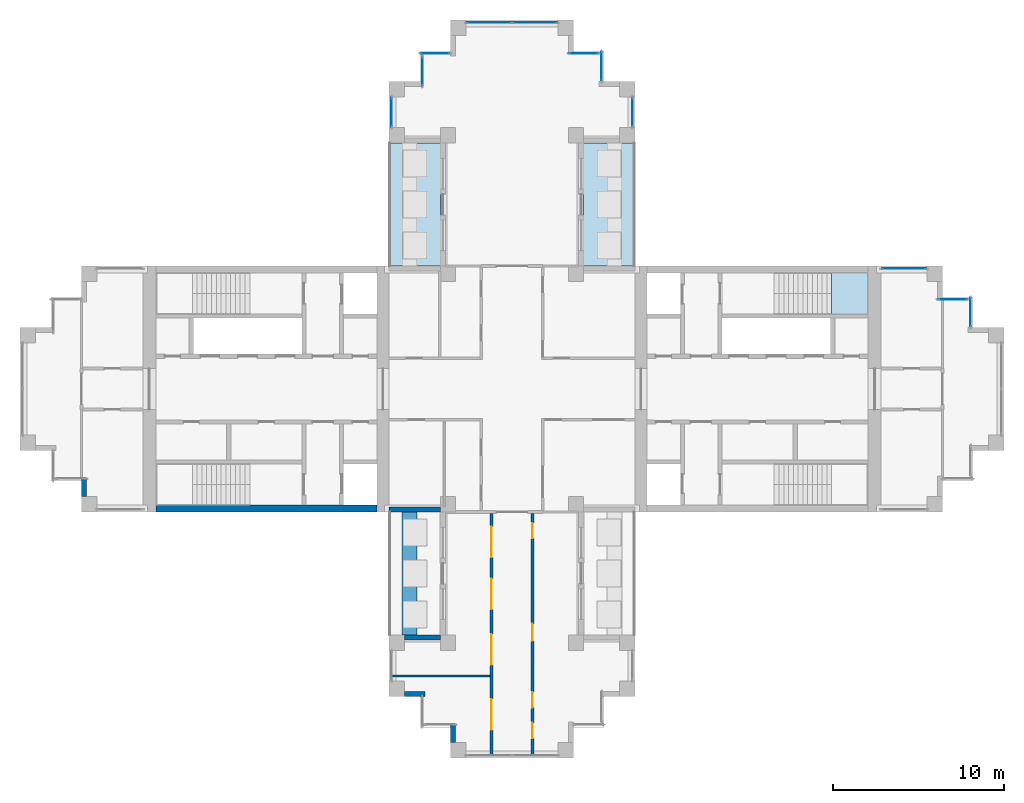
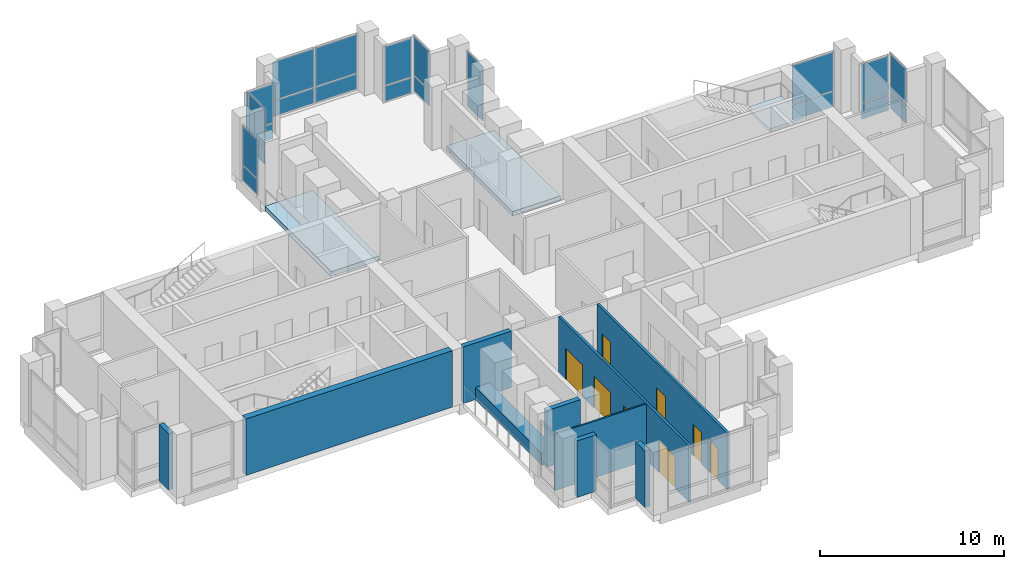
# One storey, part 7 of 13: 22 plates, 10 walls, 8 doors, 3 slabs, 8 openings, 11 elements without a shape of their own.
"""IFC4 building model written with IfcOpenShell, lengths in metres."""

from ifc_helpers import new_model, si_unit, direction, frame, frame_2d, origin, origin_2d, place, context, subcontext, project, spatial, polyline, rectangle, outline, extrude, material, layer, layer_set, type_object, element, fill, aggregate, save


model = new_model("IFC4")

# Units and contexts
model_context = context("Model", 3, precision=1e-05, world=origin(), true_north=direction((0.0, 1.0)))
body_context = subcontext(model_context, "Body", "Model", "MODEL_VIEW")
ifc_project = project(units=[si_unit("LENGTHUNIT", "METRE"), si_unit("AREAUNIT", "SQUARE_METRE"), si_unit("VOLUMEUNIT", "CUBIC_METRE"), si_unit("PLANEANGLEUNIT", "RADIAN"), si_unit("MASSUNIT", "GRAM", prefix="KILO")], contexts=[model_context])

# Site, building, storey
site_placement = place(None, origin())
site = spatial("IfcSite", under=ifc_project, at=site_placement, CompositionType="ELEMENT")
building_placement = place(site_placement, origin())
building = spatial("IfcBuilding", under=site, at=building_placement, Name="Fustian Cross Tower", CompositionType="ELEMENT")
storey_placement = place(building_placement, frame((0.0, 0.0, 237.89990234375)))
storey = spatial("IfcBuildingStorey", under=building, at=storey_placement, Name="L75", CompositionType="ELEMENT", Elevation=237.89990234375)

# Slabs
ifc_material_1 = material(Name="Concrete C40/50", Category="concrete")
ifc_layer_1 = layer(ifc_material_1, 0.300048828125)
ifc_layer_set_1 = layer_set([ifc_layer_1], Name="Concrete C40/50")
slab_type_1 = type_object("IfcSlabType", Name="BS1 BALCONY SLAB 300", PredefinedType="FLOOR", material=ifc_layer_set_1)
slab_1_placement = place(storey_placement, frame((0.0, 0.0, -0.2998046875)))
element("IfcSlab", 1, at=slab_1_placement, inside=storey, type_object=slab_type_1, Name="Balcony slab", PredefinedType="FLOOR", context=body_context, shape_type="SweptSolid", body=[
    extrude(outline(polyline([(4.199951171875, 7.199951171875), (7.199951171875, 7.199951171875), (7.199951171875, 14.39990234375), (4.199951171875, 14.39990234375), (4.199951171875, 7.199951171875)])), origin(), (0.0, 0.0, 1.0), 0.2998046875),
])
slab_2_placement = place(storey_placement, frame((0.0, 0.0, -0.2998046875)))
element("IfcSlab", 2, at=slab_2_placement, inside=storey, type_object=slab_type_1, Name="Balcony slab", PredefinedType="FLOOR", context=body_context, shape_type="SweptSolid", body=[
    extrude(outline(polyline([(-7.199951171875, 7.199951171875), (-4.199951171875, 7.199951171875), (-4.199951171875, 14.39990234375), (-7.199951171875, 14.39990234375), (-7.199951171875, 7.199951171875)])), origin(), (0.0, 0.0, 1.0), 0.2998046875),
])

# Curtain wall, plates
ifc_material_2 = material(Name="Dark anodised aluminium and double glazing", Category="aluminium")
curtain_wall_type = type_object("IfcCurtainWallType", Name="CW2 SUMMIT LOUNGE CURTAIN WALL", PredefinedType="NOTDEFINED", material=ifc_material_2)
curtain_wall_1_placement = place(storey_placement, origin())
curtain_wall_1 = element("IfcCurtainWall", 3, at=curtain_wall_1_placement, inside=storey, type_object=curtain_wall_type, Name="Curtain wall", PredefinedType="NOTDEFINED")
ifc_material_3 = material(Name="Laminated double glazed unit")
ifc_layer_2 = layer(ifc_material_3, 0.0439453125)
ifc_layer_set_2 = layer_set([ifc_layer_2], Name="Laminated double glazed unit")
plate_type = type_object("IfcPlateType", Name="CW2 PANEL LAMINATED IGU 44", PredefinedType="CURTAIN_PANEL", material=ifc_layer_set_2)
plate_1_placement = place(storey_placement, frame((26.85009765625, 4.5, 0.06005859375), z_axis=(0.0, 0.0, 1.0), x_axis=(0.0, 1.0, 0.0)))
plate_1 = element("IfcPlate", 4, at=plate_1_placement, type_object=plate_type, Name="CW2 panel 1.1", PredefinedType="CURTAIN_PANEL", context=body_context, shape_type="SweptSolid", body=[
    extrude(rectangle(XDim=1.679931640625, YDim=0.028076171875, at=origin_2d()), origin(), (0.0, 0.0, 1.0), 1.010009765625),
])
plate_2_placement = place(storey_placement, frame((26.85009765625, 4.5, 1.130126953125), z_axis=(0.0, 0.0, 1.0), x_axis=(0.0, 1.0, 0.0)))
plate_2 = element("IfcPlate", 5, at=plate_2_placement, type_object=plate_type, Name="CW2 panel 1.2", PredefinedType="CURTAIN_PANEL", context=body_context, shape_type="SweptSolid", body=[
    extrude(rectangle(XDim=1.679931640625, YDim=0.028076171875, at=origin_2d()), origin(), (0.0, 0.0, 1.0), 2.56005859375),
])
aggregate(curtain_wall_1, [plate_1, plate_2])

curtain_wall_2_placement = place(storey_placement, origin())
curtain_wall_2 = element("IfcCurtainWall", 6, at=curtain_wall_2_placement, inside=storey, type_object=curtain_wall_type, Name="Curtain wall", PredefinedType="NOTDEFINED")
plate_3_placement = place(storey_placement, frame((25.800048828125, 5.25, 0.06005859375), z_axis=(0.0, 0.0, 1.0), x_axis=(-1.0, 0.0, 0.0)))
plate_3 = element("IfcPlate", 7, at=plate_3_placement, type_object=plate_type, Name="CW2 panel 1.1", PredefinedType="CURTAIN_PANEL", context=body_context, shape_type="SweptSolid", body=[
    extrude(rectangle(XDim=1.679931640625, YDim=0.028076171875, at=origin_2d()), origin(), (0.0, 0.0, 1.0), 1.010009765625),
])
plate_4_placement = place(storey_placement, frame((25.800048828125, 5.25, 1.130126953125), z_axis=(0.0, 0.0, 1.0), x_axis=(-1.0, 0.0, 0.0)))
plate_4 = element("IfcPlate", 8, at=plate_4_placement, type_object=plate_type, Name="CW2 panel 1.2", PredefinedType="CURTAIN_PANEL", context=body_context, shape_type="SweptSolid", body=[
    extrude(rectangle(XDim=1.679931640625, YDim=0.028076171875, at=origin_2d()), origin(), (0.0, 0.0, 1.0), 2.56005859375),
])
aggregate(curtain_wall_2, [plate_3, plate_4])

curtain_wall_3_placement = place(storey_placement, origin())
curtain_wall_3 = element("IfcCurtainWall", 9, at=curtain_wall_3_placement, inside=storey, type_object=curtain_wall_type, Name="Curtain wall", PredefinedType="NOTDEFINED")
plate_5_placement = place(storey_placement, frame((22.949951171875, 7.050048828125, 0.06005859375), z_axis=(0.0, 0.0, 1.0), x_axis=(-1.0, 0.0, 0.0)))
plate_5 = element("IfcPlate", 10, at=plate_5_placement, type_object=plate_type, Name="CW2 panel 1.1", PredefinedType="CURTAIN_PANEL", context=body_context, shape_type="SweptSolid", body=[
    extrude(rectangle(XDim=2.580078125, YDim=0.028076171875, at=origin_2d()), origin(), (0.0, 0.0, 1.0), 1.010009765625),
])
plate_6_placement = place(storey_placement, frame((22.949951171875, 7.050048828125, 1.130126953125), z_axis=(0.0, 0.0, 1.0), x_axis=(-1.0, 0.0, 0.0)))
plate_6 = element("IfcPlate", 11, at=plate_6_placement, type_object=plate_type, Name="CW2 panel 1.2", PredefinedType="CURTAIN_PANEL", context=body_context, shape_type="SweptSolid", body=[
    extrude(rectangle(XDim=2.580078125, YDim=0.028076171875, at=origin_2d()), origin(), (0.0, 0.0, 1.0), 2.56005859375),
])
aggregate(curtain_wall_3, [plate_5, plate_6])

curtain_wall_4_placement = place(storey_placement, origin())
curtain_wall_4 = element("IfcCurtainWall", 12, at=curtain_wall_4_placement, inside=storey, type_object=curtain_wall_type, Name="Curtain wall", PredefinedType="NOTDEFINED")
plate_7_placement = place(storey_placement, frame((7.050048828125, 16.199951171875, 0.06005859375), z_axis=(0.0, 0.0, 1.0), x_axis=(0.0, 1.0, 0.0)))
plate_7 = element("IfcPlate", 13, at=plate_7_placement, type_object=plate_type, Name="CW2 panel 1.1", PredefinedType="CURTAIN_PANEL", context=body_context, shape_type="SweptSolid", body=[
    extrude(rectangle(XDim=1.679931640625, YDim=0.028076171875, at=origin_2d()), origin(), (0.0, 0.0, 1.0), 1.010009765625),
])
plate_8_placement = place(storey_placement, frame((7.050048828125, 16.199951171875, 1.130126953125), z_axis=(0.0, 0.0, 1.0), x_axis=(0.0, 1.0, 0.0)))
plate_8 = element("IfcPlate", 14, at=plate_8_placement, type_object=plate_type, Name="CW2 panel 1.2", PredefinedType="CURTAIN_PANEL", context=body_context, shape_type="SweptSolid", body=[
    extrude(rectangle(XDim=1.679931640625, YDim=0.028076171875, at=origin_2d()), origin(), (0.0, 0.0, 1.0), 2.56005859375),
])
aggregate(curtain_wall_4, [plate_7, plate_8])

curtain_wall_5_placement = place(storey_placement, origin())
curtain_wall_5 = element("IfcCurtainWall", 15, at=curtain_wall_5_placement, inside=storey, type_object=curtain_wall_type, Name="Curtain wall", PredefinedType="NOTDEFINED")
plate_9_placement = place(storey_placement, frame((5.25, 18.89990234375, 0.06005859375), z_axis=(0.0, 0.0, 1.0), x_axis=(0.0, 1.0, 0.0)))
plate_9 = element("IfcPlate", 16, at=plate_9_placement, type_object=plate_type, Name="CW2 panel 1.1", PredefinedType="CURTAIN_PANEL", context=body_context, shape_type="SweptSolid", body=[
    extrude(rectangle(XDim=1.679931640625, YDim=0.028076171875, at=origin_2d()), origin(), (0.0, 0.0, 1.0), 1.010009765625),
])
plate_10_placement = place(storey_placement, frame((5.25, 18.89990234375, 1.130126953125), z_axis=(0.0, 0.0, 1.0), x_axis=(0.0, 1.0, 0.0)))
plate_10 = element("IfcPlate", 17, at=plate_10_placement, type_object=plate_type, Name="CW2 panel 1.2", PredefinedType="CURTAIN_PANEL", context=body_context, shape_type="SweptSolid", body=[
    extrude(rectangle(XDim=1.679931640625, YDim=0.028076171875, at=origin_2d()), origin(), (0.0, 0.0, 1.0), 2.56005859375),
])
aggregate(curtain_wall_5, [plate_9, plate_10])

curtain_wall_6_placement = place(storey_placement, origin())
curtain_wall_6 = element("IfcCurtainWall", 18, at=curtain_wall_6_placement, inside=storey, type_object=curtain_wall_type, Name="Curtain wall", PredefinedType="NOTDEFINED")
plate_11_placement = place(storey_placement, frame((4.199951171875, 19.64990234375, 0.06005859375), z_axis=(0.0, 0.0, 1.0), x_axis=(-1.0, 0.0, 0.0)))
plate_11 = element("IfcPlate", 19, at=plate_11_placement, type_object=plate_type, Name="CW2 panel 1.1", PredefinedType="CURTAIN_PANEL", context=body_context, shape_type="SweptSolid", body=[
    extrude(rectangle(XDim=1.679931640625, YDim=0.028076171875, at=origin_2d()), origin(), (0.0, 0.0, 1.0), 1.010009765625),
])
plate_12_placement = place(storey_placement, frame((4.199951171875, 19.64990234375, 1.130126953125), z_axis=(0.0, 0.0, 1.0), x_axis=(-1.0, 0.0, 0.0)))
plate_12 = element("IfcPlate", 20, at=plate_12_placement, type_object=plate_type, Name="CW2 panel 1.2", PredefinedType="CURTAIN_PANEL", context=body_context, shape_type="SweptSolid", body=[
    extrude(rectangle(XDim=1.679931640625, YDim=0.028076171875, at=origin_2d()), origin(), (0.0, 0.0, 1.0), 2.56005859375),
])
aggregate(curtain_wall_6, [plate_11, plate_12])

curtain_wall_7_placement = place(storey_placement, origin())
curtain_wall_7 = element("IfcCurtainWall", 21, at=curtain_wall_7_placement, inside=storey, type_object=curtain_wall_type, Name="Curtain wall", PredefinedType="NOTDEFINED")
plate_13_placement = place(storey_placement, frame((1.3349609375, 21.449951171875, 0.06005859375), z_axis=(0.0, 0.0, 1.0), x_axis=(-1.0, 0.0, 0.0)))
plate_13 = element("IfcPlate", 22, at=plate_13_placement, type_object=plate_type, Name="CW2 panel 1.1", PredefinedType="CURTAIN_PANEL", context=body_context, shape_type="SweptSolid", body=[
    extrude(rectangle(XDim=2.610107421875, YDim=0.028076171875, at=origin_2d()), origin(), (0.0, 0.0, 1.0), 1.010009765625),
])
plate_14_placement = place(storey_placement, frame((1.3349609375, 21.449951171875, 1.130126953125), z_axis=(0.0, 0.0, 1.0), x_axis=(-1.0, 0.0, 0.0)))
plate_14 = element("IfcPlate", 23, at=plate_14_placement, type_object=plate_type, Name="CW2 panel 1.2", PredefinedType="CURTAIN_PANEL", context=body_context, shape_type="SweptSolid", body=[
    extrude(rectangle(XDim=2.610107421875, YDim=0.028076171875, at=origin_2d()), origin(), (0.0, 0.0, 1.0), 2.56005859375),
])
plate_15_placement = place(storey_placement, frame((-1.3349609375, 21.449951171875, 0.06005859375), z_axis=(0.0, 0.0, 1.0), x_axis=(-1.0, 0.0, 0.0)))
plate_15 = element("IfcPlate", 24, at=plate_15_placement, type_object=plate_type, Name="CW2 panel 2.1", PredefinedType="CURTAIN_PANEL", context=body_context, shape_type="SweptSolid", body=[
    extrude(rectangle(XDim=2.610107421875, YDim=0.028076171875, at=origin_2d()), origin(), (0.0, 0.0, 1.0), 1.010009765625),
])
plate_16_placement = place(storey_placement, frame((-1.3349609375, 21.449951171875, 1.130126953125), z_axis=(0.0, 0.0, 1.0), x_axis=(-1.0, 0.0, 0.0)))
plate_16 = element("IfcPlate", 25, at=plate_16_placement, type_object=plate_type, Name="CW2 panel 2.2", PredefinedType="CURTAIN_PANEL", context=body_context, shape_type="SweptSolid", body=[
    extrude(rectangle(XDim=2.610107421875, YDim=0.028076171875, at=origin_2d()), origin(), (0.0, 0.0, 1.0), 2.56005859375),
])
aggregate(curtain_wall_7, [plate_13, plate_14, plate_15, plate_16])

curtain_wall_8_placement = place(storey_placement, origin())
curtain_wall_8 = element("IfcCurtainWall", 26, at=curtain_wall_8_placement, inside=storey, type_object=curtain_wall_type, Name="Curtain wall", PredefinedType="NOTDEFINED")
plate_17_placement = place(storey_placement, frame((-4.5, 19.64990234375, 0.06005859375), z_axis=(0.0, 0.0, 1.0), x_axis=(-1.0, 0.0, 0.0)))
plate_17 = element("IfcPlate", 27, at=plate_17_placement, type_object=plate_type, Name="CW2 panel 1.1", PredefinedType="CURTAIN_PANEL", context=body_context, shape_type="SweptSolid", body=[
    extrude(rectangle(XDim=1.679931640625, YDim=0.028076171875, at=origin_2d()), origin(), (0.0, 0.0, 1.0), 1.010009765625),
])
plate_18_placement = place(storey_placement, frame((-4.5, 19.64990234375, 1.130126953125), z_axis=(0.0, 0.0, 1.0), x_axis=(-1.0, 0.0, 0.0)))
plate_18 = element("IfcPlate", 28, at=plate_18_placement, type_object=plate_type, Name="CW2 panel 1.2", PredefinedType="CURTAIN_PANEL", context=body_context, shape_type="SweptSolid", body=[
    extrude(rectangle(XDim=1.679931640625, YDim=0.028076171875, at=origin_2d()), origin(), (0.0, 0.0, 1.0), 2.56005859375),
])
aggregate(curtain_wall_8, [plate_17, plate_18])

curtain_wall_9_placement = place(storey_placement, origin())
curtain_wall_9 = element("IfcCurtainWall", 29, at=curtain_wall_9_placement, inside=storey, type_object=curtain_wall_type, Name="Curtain wall", PredefinedType="NOTDEFINED")
plate_19_placement = place(storey_placement, frame((-5.25, 18.60009765625, 0.06005859375), z_axis=(0.0, 0.0, 1.0), x_axis=(0.0, -1.0, 0.0)))
plate_19 = element("IfcPlate", 30, at=plate_19_placement, type_object=plate_type, Name="CW2 panel 1.1", PredefinedType="CURTAIN_PANEL", context=body_context, shape_type="SweptSolid", body=[
    extrude(rectangle(XDim=1.679931640625, YDim=0.028076171875, at=origin_2d()), origin(), (0.0, 0.0, 1.0), 1.010009765625),
])
plate_20_placement = place(storey_placement, frame((-5.25, 18.60009765625, 1.130126953125), z_axis=(0.0, 0.0, 1.0), x_axis=(0.0, -1.0, 0.0)))
plate_20 = element("IfcPlate", 31, at=plate_20_placement, type_object=plate_type, Name="CW2 panel 1.2", PredefinedType="CURTAIN_PANEL", context=body_context, shape_type="SweptSolid", body=[
    extrude(rectangle(XDim=1.679931640625, YDim=0.028076171875, at=origin_2d()), origin(), (0.0, 0.0, 1.0), 2.56005859375),
])
aggregate(curtain_wall_9, [plate_19, plate_20])

curtain_wall_10_placement = place(storey_placement, origin())
curtain_wall_10 = element("IfcCurtainWall", 32, at=curtain_wall_10_placement, inside=storey, type_object=curtain_wall_type, Name="Curtain wall", PredefinedType="NOTDEFINED")
plate_21_placement = place(storey_placement, frame((-7.050048828125, 16.199951171875, 0.06005859375), z_axis=(0.0, 0.0, 1.0), x_axis=(0.0, -1.0, 0.0)))
plate_21 = element("IfcPlate", 33, at=plate_21_placement, type_object=plate_type, Name="CW2 panel 1.1", PredefinedType="CURTAIN_PANEL", context=body_context, shape_type="SweptSolid", body=[
    extrude(rectangle(XDim=1.679931640625, YDim=0.028076171875, at=origin_2d()), origin(), (0.0, 0.0, 1.0), 1.010009765625),
])
plate_22_placement = place(storey_placement, frame((-7.050048828125, 16.199951171875, 1.130126953125), z_axis=(0.0, 0.0, 1.0), x_axis=(0.0, -1.0, 0.0)))
plate_22 = element("IfcPlate", 34, at=plate_22_placement, type_object=plate_type, Name="CW2 panel 1.2", PredefinedType="CURTAIN_PANEL", context=body_context, shape_type="SweptSolid", body=[
    extrude(rectangle(XDim=1.679931640625, YDim=0.028076171875, at=origin_2d()), origin(), (0.0, 0.0, 1.0), 2.56005859375),
])
aggregate(curtain_wall_10, [plate_21, plate_22])

# Stair, slab
ifc_material_4 = material(Name="Concrete C50/60", Category="concrete")
stair_type = type_object("IfcStairType", Name="STAIR 1200 HALF TURN", PredefinedType="HALF_TURN_STAIR", material=ifc_material_4)
stair_placement = place(storey_placement, origin())
stair = element("IfcStair", 35, at=stair_placement, inside=storey, type_object=stair_type, Name="Stair ST1", PredefinedType="HALF_TURN_STAIR")
ifc_material_5 = material(Name="Concrete C50/60", Category="concrete")
ifc_layer_3 = layer(ifc_material_5, 0.199951171875)
ifc_layer_set_3 = layer_set([ifc_layer_3], Name="Concrete C50/60")
slab_type_2 = type_object("IfcSlabType", Name="STAIR LANDING", PredefinedType="LANDING", material=ifc_layer_set_3)
slab_3_placement = place(storey_placement, frame((0.0, 0.0, 1.900146484375)))
slab_3 = element("IfcSlab", 36, at=slab_3_placement, type_object=slab_type_2, Name="ST1 landing 1", PredefinedType="LANDING", context=body_context, shape_type="SweptSolid", body=[
    extrude(outline(polyline([(18.7099609375, 4.39990234375), (20.85009765625, 4.39990234375), (20.85009765625, 6.800048828125), (18.7099609375, 6.800048828125), (18.7099609375, 4.39990234375)])), origin(), (0.0, 0.0, 1.0), 0.199951171875),
])
aggregate(stair, [slab_3])

# Wall, openings, doors
ifc_material_6 = material(Name="Plasterboard on steel stud", Category="steel")
ifc_layer_4 = layer(ifc_material_6, 0.14990234375)
ifc_layer_set_4 = layer_set([ifc_layer_4], Name="Plasterboard on steel stud")
wall_type_1 = type_object("IfcWallType", Name="COMPARTMENT WALL 150 EI 60", PredefinedType="PARTITIONING", material=ifc_layer_set_4)
wall_1_placement = place(storey_placement, frame((-1.199951171875, -21.419921875, 0.0), z_axis=(0.0, 0.0, 1.0), x_axis=(0.0, 1.0, 0.0)))
wall_1 = element("IfcWall", 37, at=wall_1_placement, inside=storey, type_object=wall_type_1, Name="Partition 16", PredefinedType="PARTITIONING", context=body_context, shape_type="SweptSolid", body=[
    extrude(rectangle(XDim=14.14501953125, YDim=0.14990234375, at=frame_2d((7.072509765625, 0.0))), origin(), (0.0, 0.0, 1.0), 3.75),
])
opening_1_placement = place(wall_1_placement, frame((5.27001953125, 0.0, 0.0)))
opening_1 = element("IfcOpeningElement", 38, at=opening_1_placement, cuts=wall_1, Name="Opening D34019", PredefinedType="OPENING", context=body_context, shape_type="SweptSolid", body=[
    extrude(rectangle(XDim=1.800048828125, YDim=2.10009765625, at=frame_2d((0.89990234375, 1.050048828125))), frame((0.0, 0.0849609375, 0.0), z_axis=(0.0, -1.0, 0.0), x_axis=(1.0, 0.0, 0.0)), (0.0, 0.0, 1.0), 0.169921875),
])
opening_2_placement = place(wall_1_placement, frame((8.52001953125, 0.0, 0.0)))
opening_2 = element("IfcOpeningElement", 39, at=opening_2_placement, cuts=wall_1, Name="Opening D34020", PredefinedType="OPENING", context=body_context, shape_type="SweptSolid", body=[
    extrude(rectangle(XDim=1.800048828125, YDim=2.10009765625, at=frame_2d((0.89990234375, 1.050048828125))), frame((0.0, 0.0849609375, 0.0), z_axis=(0.0, -1.0, 0.0), x_axis=(1.0, 0.0, 0.0)), (0.0, 0.0, 1.0), 0.169921875),
])
opening_3_placement = place(wall_1_placement, frame((11.570068359375, 0.0, 0.0)))
opening_3 = element("IfcOpeningElement", 40, at=opening_3_placement, cuts=wall_1, Name="Opening D34021", PredefinedType="OPENING", context=body_context, shape_type="SweptSolid", body=[
    extrude(rectangle(XDim=1.800048828125, YDim=2.10009765625, at=frame_2d((0.89990234375, 1.050048828125))), frame((0.0, 0.0849609375, 0.0), z_axis=(0.0, -1.0, 0.0), x_axis=(1.0, 0.0, 0.0)), (0.0, 0.0, 1.0), 0.169921875),
])
opening_4_placement = place(wall_1_placement, frame((1.469970703125, 0.0, 0.0)))
opening_4 = element("IfcOpeningElement", 41, at=opening_4_placement, cuts=wall_1, Name="Opening D34022", PredefinedType="OPENING", context=body_context, shape_type="SweptSolid", body=[
    extrude(rectangle(XDim=1.800048828125, YDim=2.10009765625, at=frame_2d((0.89990234375, 1.050048828125))), frame((0.0, 0.0849609375, 0.0), z_axis=(0.0, -1.0, 0.0), x_axis=(1.0, 0.0, 0.0)), (0.0, 0.0, 1.0), 0.169921875),
])
ifc_material_7 = material(Name="Timber fire door set", Category="wood")
door_type_1 = type_object("IfcDoorType", Name="FIRE DOUBLE DOOR 1800 FD30S", OperationType="DOUBLE_DOOR_DOUBLE_SWING", PredefinedType="DOOR", material=ifc_material_7)
door_1_placement = place(opening_1_placement, frame((1.800048828125, 0.0, 0.0), z_axis=(0.0, 0.0, 1.0), x_axis=(-1.0, 0.0, 0.0)))
door_1 = element("IfcDoor", 42, at=door_1_placement, inside=storey, type_object=door_type_1, Name="Door D34019", OperationType="DOUBLE_DOOR_DOUBLE_SWING", OverallHeight=2.10009765625, OverallWidth=1.800048828125, PredefinedType="DOOR", context=body_context, shape_type="SweptSolid", body=[
    extrude(rectangle(XDim=1.800048828125, YDim=2.10009765625, at=frame_2d((0.89990234375, 1.050048828125))), frame((0.0, 0.02490234375, 0.0), z_axis=(0.0, -1.0, 0.0), x_axis=(1.0, 0.0, 0.0)), (0.0, 0.0, 1.0), 0.050048828125),
])
fill(opening_1, door_1)
door_2_placement = place(opening_2_placement, frame((1.800048828125, 0.0, 0.0), z_axis=(0.0, 0.0, 1.0), x_axis=(-1.0, 0.0, 0.0)))
door_2 = element("IfcDoor", 43, at=door_2_placement, inside=storey, type_object=door_type_1, Name="Door D34020", OperationType="DOUBLE_DOOR_DOUBLE_SWING", OverallHeight=2.10009765625, OverallWidth=1.800048828125, PredefinedType="DOOR", context=body_context, shape_type="SweptSolid", body=[
    extrude(rectangle(XDim=1.800048828125, YDim=2.10009765625, at=frame_2d((0.89990234375, 1.050048828125))), frame((0.0, 0.02490234375, 0.0), z_axis=(0.0, -1.0, 0.0), x_axis=(1.0, 0.0, 0.0)), (0.0, 0.0, 1.0), 0.050048828125),
])
fill(opening_2, door_2)
door_3_placement = place(opening_3_placement, origin())
door_3 = element("IfcDoor", 44, at=door_3_placement, inside=storey, type_object=door_type_1, Name="Door D34021", OperationType="DOUBLE_DOOR_DOUBLE_SWING", OverallHeight=2.10009765625, OverallWidth=1.800048828125, PredefinedType="DOOR", context=body_context, shape_type="SweptSolid", body=[
    extrude(rectangle(XDim=1.800048828125, YDim=2.10009765625, at=frame_2d((0.89990234375, 1.050048828125))), frame((0.0, 0.02490234375, 0.0), z_axis=(0.0, -1.0, 0.0), x_axis=(1.0, 0.0, 0.0)), (0.0, 0.0, 1.0), 0.050048828125),
])
fill(opening_3, door_3)
door_4_placement = place(opening_4_placement, frame((1.800048828125, 0.0, 0.0), z_axis=(0.0, 0.0, 1.0), x_axis=(-1.0, 0.0, 0.0)))
door_4 = element("IfcDoor", 45, at=door_4_placement, inside=storey, type_object=door_type_1, Name="Door D34022", OperationType="DOUBLE_DOOR_DOUBLE_SWING", OverallHeight=2.10009765625, OverallWidth=1.800048828125, PredefinedType="DOOR", context=body_context, shape_type="SweptSolid", body=[
    extrude(rectangle(XDim=1.800048828125, YDim=2.10009765625, at=frame_2d((0.89990234375, 1.050048828125))), frame((0.0, 0.02490234375, 0.0), z_axis=(0.0, -1.0, 0.0), x_axis=(1.0, 0.0, 0.0)), (0.0, 0.0, 1.0), 0.050048828125),
])
fill(opening_4, door_4)

wall_2_placement = place(storey_placement, frame((1.199951171875, -21.419921875, 0.0), z_axis=(0.0, 0.0, 1.0), x_axis=(0.0, 1.0, 0.0)))
wall_2 = element("IfcWall", 46, at=wall_2_placement, inside=storey, type_object=wall_type_1, Name="Partition 17", PredefinedType="PARTITIONING", context=body_context, shape_type="SweptSolid", body=[
    extrude(rectangle(XDim=14.14501953125, YDim=0.14990234375, at=frame_2d((7.072509765625, 0.0))), origin(), (0.0, 0.0, 1.0), 3.75),
])
opening_5_placement = place(wall_2_placement, frame((0.969970703125, 0.0, 0.0)))
opening_5 = element("IfcOpeningElement", 47, at=opening_5_placement, cuts=wall_2, Name="Opening D34015", PredefinedType="OPENING", context=body_context, shape_type="SweptSolid", body=[
    extrude(rectangle(XDim=0.89990234375, YDim=2.10009765625, at=frame_2d((0.449951171875, 1.050048828125))), frame((0.0, 0.0849609375, 0.0), z_axis=(0.0, -1.0, 0.0), x_axis=(1.0, 0.0, 0.0)), (0.0, 0.0, 1.0), 0.169921875),
])
opening_6_placement = place(wall_2_placement, frame((2.77001953125, 0.0, 0.0)))
opening_6 = element("IfcOpeningElement", 48, at=opening_6_placement, cuts=wall_2, Name="Opening D34016", PredefinedType="OPENING", context=body_context, shape_type="SweptSolid", body=[
    extrude(rectangle(XDim=0.89990234375, YDim=2.10009765625, at=frame_2d((0.449951171875, 1.050048828125))), frame((0.0, 0.0849609375, 0.0), z_axis=(0.0, -1.0, 0.0), x_axis=(1.0, 0.0, 0.0)), (0.0, 0.0, 1.0), 0.169921875),
])
opening_7_placement = place(wall_2_placement, frame((6.669921875, 0.0, 0.0)))
opening_7 = element("IfcOpeningElement", 49, at=opening_7_placement, cuts=wall_2, Name="Opening D34017", PredefinedType="OPENING", context=body_context, shape_type="SweptSolid", body=[
    extrude(rectangle(XDim=1.0, YDim=2.10009765625, at=frame_2d((0.5, 1.050048828125))), frame((0.0, 0.0849609375, 0.0), z_axis=(0.0, -1.0, 0.0), x_axis=(1.0, 0.0, 0.0)), (0.0, 0.0, 1.0), 0.169921875),
])
opening_8_placement = place(wall_2_placement, frame((12.669921875, 0.0, 0.0)))
opening_8 = element("IfcOpeningElement", 50, at=opening_8_placement, cuts=wall_2, Name="Opening D34018", PredefinedType="OPENING", context=body_context, shape_type="SweptSolid", body=[
    extrude(rectangle(XDim=0.89990234375, YDim=2.10009765625, at=frame_2d((0.449951171875, 1.050048828125))), frame((0.0, 0.0849609375, 0.0), z_axis=(0.0, -1.0, 0.0), x_axis=(1.0, 0.0, 0.0)), (0.0, 0.0, 1.0), 0.169921875),
])
ifc_material_8 = material(Name="Timber fire door set", Category="wood")
door_type_2 = type_object("IfcDoorType", Name="FIRE SWING DOOR 1000 FD30S", OperationType="SINGLE_SWING_LEFT", PredefinedType="DOOR", material=ifc_material_8)
door_5_placement = place(opening_7_placement, frame((1.0, 0.0, 0.0), z_axis=(0.0, 0.0, 1.0), x_axis=(-1.0, 0.0, 0.0)))
door_5 = element("IfcDoor", 51, at=door_5_placement, inside=storey, type_object=door_type_2, Name="Door D34017", OperationType="SINGLE_SWING_RIGHT", OverallHeight=2.10009765625, OverallWidth=1.0, PredefinedType="DOOR", context=body_context, shape_type="SweptSolid", body=[
    extrude(rectangle(XDim=1.0, YDim=2.10009765625, at=frame_2d((0.5, 1.050048828125))), frame((0.0, 0.02490234375, 0.0), z_axis=(0.0, -1.0, 0.0), x_axis=(1.0, 0.0, 0.0)), (0.0, 0.0, 1.0), 0.050048828125),
])
fill(opening_7, door_5)
ifc_material_9 = material(Name="Timber fire door set", Category="wood")
door_type_3 = type_object("IfcDoorType", Name="FIRE SWING DOOR 900 FD30S", OperationType="SINGLE_SWING_LEFT", PredefinedType="DOOR", material=ifc_material_9)
door_6_placement = place(opening_5_placement, frame((0.89990234375, 0.0, 0.0), z_axis=(0.0, 0.0, 1.0), x_axis=(-1.0, 0.0, 0.0)))
door_6 = element("IfcDoor", 52, at=door_6_placement, inside=storey, type_object=door_type_3, Name="Door D34015", OperationType="SINGLE_SWING_RIGHT", OverallHeight=2.10009765625, OverallWidth=0.89990234375, PredefinedType="DOOR", context=body_context, shape_type="SweptSolid", body=[
    extrude(rectangle(XDim=0.89990234375, YDim=2.10009765625, at=frame_2d((0.449951171875, 1.050048828125))), frame((0.0, 0.02490234375, 0.0), z_axis=(0.0, -1.0, 0.0), x_axis=(1.0, 0.0, 0.0)), (0.0, 0.0, 1.0), 0.050048828125),
])
fill(opening_5, door_6)
door_7_placement = place(opening_6_placement, frame((0.89990234375, 0.0, 0.0), z_axis=(0.0, 0.0, 1.0), x_axis=(-1.0, 0.0, 0.0)))
door_7 = element("IfcDoor", 53, at=door_7_placement, inside=storey, type_object=door_type_3, Name="Door D34016", OperationType="SINGLE_SWING_RIGHT", OverallHeight=2.10009765625, OverallWidth=0.89990234375, PredefinedType="DOOR", context=body_context, shape_type="SweptSolid", body=[
    extrude(rectangle(XDim=0.89990234375, YDim=2.10009765625, at=frame_2d((0.449951171875, 1.050048828125))), frame((0.0, 0.02490234375, 0.0), z_axis=(0.0, -1.0, 0.0), x_axis=(1.0, 0.0, 0.0)), (0.0, 0.0, 1.0), 0.050048828125),
])
fill(opening_6, door_7)
door_8_placement = place(opening_8_placement, frame((0.89990234375, 0.0, 0.0), z_axis=(0.0, 0.0, 1.0), x_axis=(-1.0, 0.0, 0.0)))
door_8 = element("IfcDoor", 54, at=door_8_placement, inside=storey, type_object=door_type_3, Name="Door D34018", OperationType="SINGLE_SWING_LEFT", OverallHeight=2.10009765625, OverallWidth=0.89990234375, PredefinedType="DOOR", context=body_context, shape_type="SweptSolid", body=[
    extrude(rectangle(XDim=0.89990234375, YDim=2.10009765625, at=frame_2d((0.449951171875, 1.050048828125))), frame((0.0, 0.02490234375, 0.0), z_axis=(0.0, -1.0, 0.0), x_axis=(1.0, 0.0, 0.0)), (0.0, 0.0, 1.0), 0.050048828125),
])
fill(opening_8, door_8)

# Walls
ifc_material_10 = material(Name="Concrete C50/60", Category="concrete")
ifc_layer_5 = layer(ifc_material_10, 0.39990234375)
ifc_layer_set_5 = layer_set([ifc_layer_5], Name="Concrete C50/60")
wall_type_2 = type_object("IfcWallType", Name="CORE FACADE WALL 400 C50/60", PredefinedType="SHEAR", material=ifc_layer_set_5)
wall_3_placement = place(storey_placement, frame((-7.89990234375, -7.0, 0.0), z_axis=(0.0, 0.0, 1.0), x_axis=(-1.0, 0.0, 0.0)))
element("IfcWall", 55, at=wall_3_placement, inside=storey, type_object=wall_type_2, Name="Core facade wall", PredefinedType="SHEAR", context=body_context, shape_type="SweptSolid", body=[
    extrude(rectangle(XDim=12.9501953125, YDim=0.39990234375, at=frame_2d((6.47509765625, 0.0))), origin(), (0.0, 0.0, 1.0), 3.75),
])
ifc_material_11 = material(Name="Plasterboard on steel stud", Category="steel")
ifc_layer_6 = layer(ifc_material_11, 0.10009765625)
ifc_layer_set_6 = layer_set([ifc_layer_6], Name="Plasterboard on steel stud")
wall_type_3 = type_object("IfcWallType", Name="PARTITION 100 STUD", PredefinedType="PARTITIONING", material=ifc_layer_set_6)
wall_4_placement = place(storey_placement, frame((-7.02001953125, -16.800048828125, 0.0), z_axis=(0.0, 0.0, 1.0), x_axis=(1.0, 0.0, 0.0)))
element("IfcWall", 56, at=wall_4_placement, inside=storey, type_object=wall_type_3, Name="Partition 8", PredefinedType="PARTITIONING", context=body_context, shape_type="SweptSolid", body=[
    extrude(rectangle(XDim=5.7451171875, YDim=0.10009765625, at=frame_2d((2.87255859375, 0.0))), origin(), (0.0, 0.0, 1.0), 3.75),
])
ifc_material_12 = material(Name="Concrete C40/50", Category="concrete")
ifc_layer_7 = layer(ifc_material_12, 0.89990234375)
ifc_layer_set_7 = layer_set([ifc_layer_7], Name="Concrete C40/50")
wall_type_4 = type_object("IfcWallType", Name="PK1 PLANTER 900", PredefinedType="PARAPET", material=ifc_layer_set_7)
wall_5_placement = place(storey_placement, frame((-6.0, -14.39990234375, 0.0), z_axis=(0.0, 0.0, 1.0), x_axis=(0.0, 1.0, 0.0)))
element("IfcWall", 57, at=wall_5_placement, inside=storey, type_object=wall_type_4, Name="PLANTER", PredefinedType="PARAPET", context=body_context, shape_type="SweptSolid", body=[
    extrude(rectangle(XDim=7.199951171875, YDim=0.89990234375, at=frame_2d((3.60009765625, 0.0))), origin(), (0.0, 0.0, 1.0), 0.800048828125),
])
ifc_material_13 = material(Name="Dark aluminium cladding on insulated backing wall", Category="aluminium")
ifc_layer_8 = layer(ifc_material_13, 0.300048828125)
ifc_layer_set_8 = layer_set([ifc_layer_8], Name="Dark aluminium cladding on insulated backing wall")
wall_type_5 = type_object("IfcWallType", Name="XW1 EXTERNAL WALL 300", PredefinedType="SOLIDWALL", material=ifc_layer_set_8)
wall_6_placement = place(storey_placement, frame((-25.050048828125, -5.280029296875, 0.0), z_axis=(0.0, 0.0, 1.0), x_axis=(0.0, -1.0, 0.0)))
element("IfcWall", 58, at=wall_6_placement, inside=storey, type_object=wall_type_5, Name="External wall", PredefinedType="SOLIDWALL", context=body_context, shape_type="SweptSolid", body=[
    extrude(rectangle(XDim=1.02001953125, YDim=0.300048828125, at=frame_2d((0.510009765625, 0.0))), origin(), (0.0, 0.0, 1.0), 3.75),
])
wall_7_placement = place(storey_placement, frame((-7.199951171875, -7.050048828125, 0.0), z_axis=(0.0, 0.0, 1.0), x_axis=(1.0, 0.0, 0.0)))
element("IfcWall", 59, at=wall_7_placement, inside=storey, type_object=wall_type_5, Name="External wall", PredefinedType="SOLIDWALL", context=body_context, shape_type="SweptSolid", body=[
    extrude(rectangle(XDim=3.0, YDim=0.300048828125, at=frame_2d((1.5, 0.0))), origin(), (0.0, 0.0, 1.0), 3.75),
])
wall_8_placement = place(storey_placement, frame((-4.199951171875, -14.550048828125, 0.0), z_axis=(0.0, 0.0, 1.0), x_axis=(-1.0, 0.0, 0.0)))
element("IfcWall", 60, at=wall_8_placement, inside=storey, type_object=wall_type_5, Name="External wall", PredefinedType="SOLIDWALL", context=body_context, shape_type="SweptSolid", body=[
    extrude(rectangle(XDim=2.10009765625, YDim=0.300048828125, at=frame_2d((1.050048828125, 0.0))), origin(), (0.0, 0.0, 1.0), 3.75),
])
wall_9_placement = place(storey_placement, frame((-6.300048828125, -17.85009765625, 0.0), z_axis=(0.0, 0.0, 1.0), x_axis=(1.0, 0.0, 0.0)))
element("IfcWall", 61, at=wall_9_placement, inside=storey, type_object=wall_type_5, Name="External wall", PredefinedType="SOLIDWALL", context=body_context, shape_type="SweptSolid", body=[
    extrude(rectangle(XDim=1.199951171875, YDim=0.300048828125, at=frame_2d((0.60009765625, 0.0))), origin(), (0.0, 0.0, 1.0), 3.75),
])
wall_10_placement = place(storey_placement, frame((-3.449951171875, -19.679931640625, 0.0), z_axis=(0.0, 0.0, 1.0), x_axis=(0.0, -1.0, 0.0)))
element("IfcWall", 62, at=wall_10_placement, inside=storey, type_object=wall_type_5, Name="External wall", PredefinedType="SOLIDWALL", context=body_context, shape_type="SweptSolid", body=[
    extrude(rectangle(XDim=1.02001953125, YDim=0.300048828125, at=frame_2d((0.510009765625, 0.0))), origin(), (0.0, 0.0, 1.0), 3.75),
])

save(model, "model.ifc")
